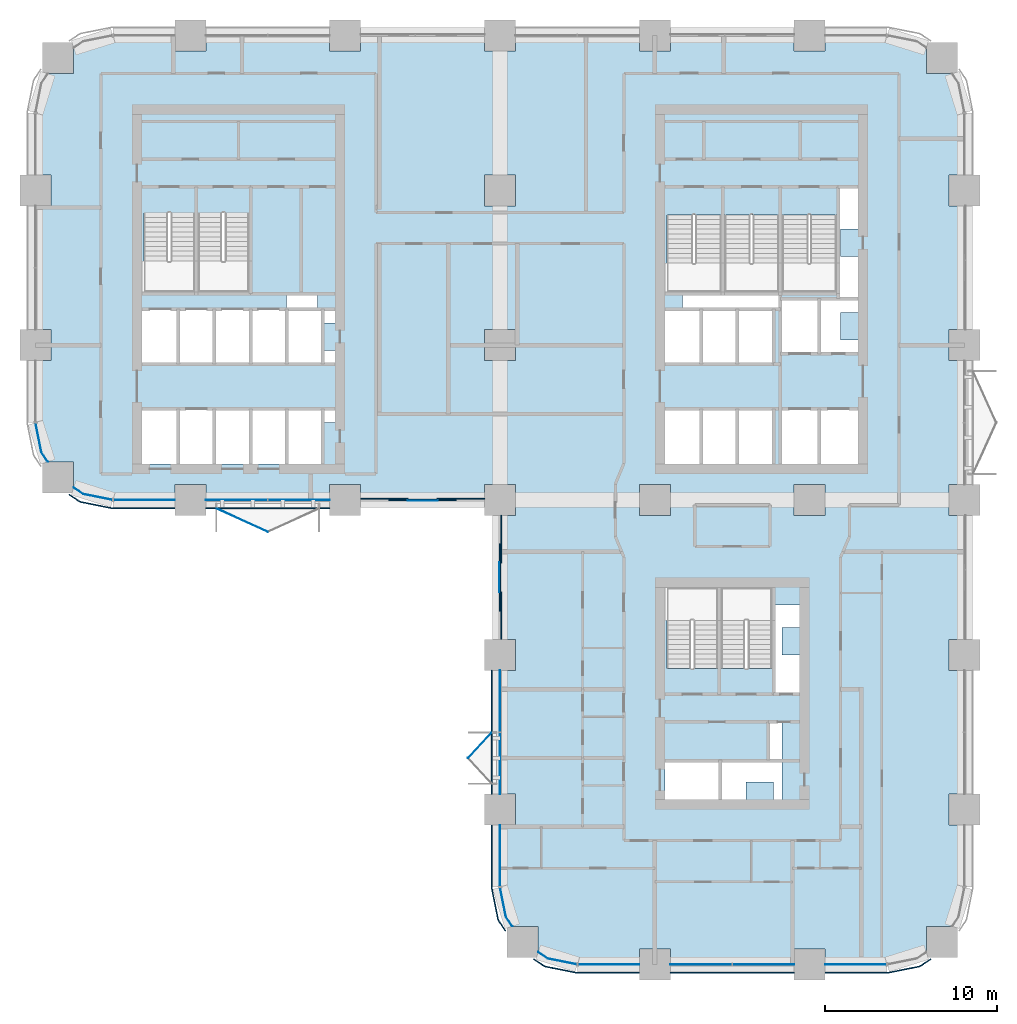
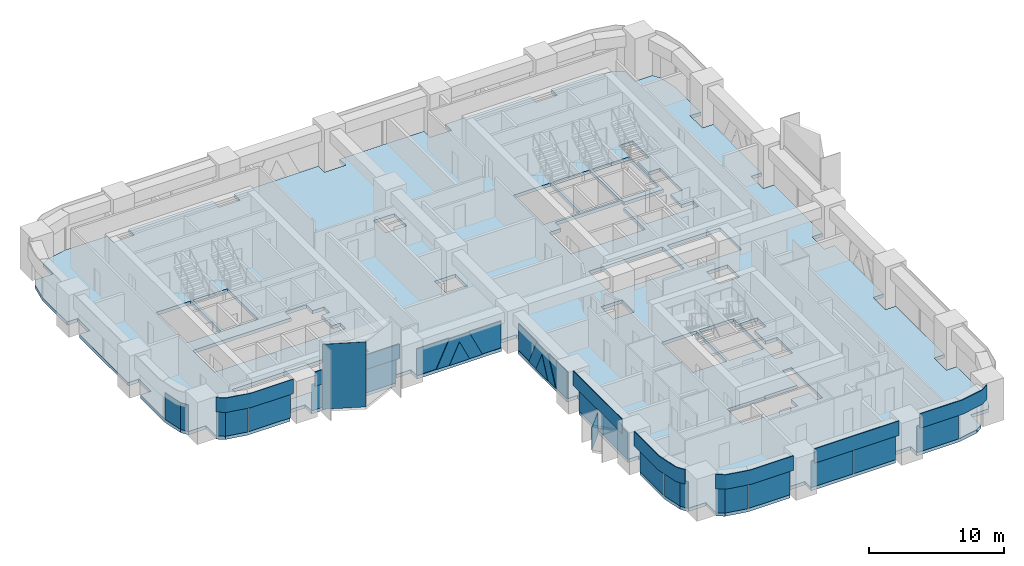
# One storey, part 10 of 24: 31 plates, 1 slab, 10 elements without a shape of their own.
"""IFC4 building model written with IfcOpenShell, lengths in metres."""

from ifc_helpers import new_model, si_unit, direction, frame, origin, origin_2d, place, context, subcontext, project, spatial, polyline, rectangle, outline, extrude, material, layer, layer_set, type_object, element, aggregate, save


model = new_model("IFC4")

# Units and contexts
model_context = context("Model", 3, precision=1e-05, world=origin(), true_north=direction((0.0, 1.0)))
body_context = subcontext(model_context, "Body", "Model", "MODEL_VIEW")
ifc_project = project(units=[si_unit("LENGTHUNIT", "METRE"), si_unit("AREAUNIT", "SQUARE_METRE"), si_unit("VOLUMEUNIT", "CUBIC_METRE"), si_unit("PLANEANGLEUNIT", "RADIAN"), si_unit("MASSUNIT", "GRAM", prefix="KILO")], contexts=[model_context])

# Site, building, storey
site_placement = place(None, origin())
site = spatial("IfcSite", under=ifc_project, at=site_placement, CompositionType="ELEMENT")
building_placement = place(site_placement, origin())
building = spatial("IfcBuilding", under=site, at=building_placement, Name="Tessera Arch", CompositionType="ELEMENT")
storey_placement = place(building_placement, frame((0.0, 0.0, 81.60009765625)))
storey = spatial("IfcBuildingStorey", under=building, at=storey_placement, Name="L18", CompositionType="ELEMENT", Elevation=81.60009765625)

# Curtain wall, plates
ifc_material_1 = material(Name="CW1 curtain wall")
curtain_wall_type_1 = type_object("IfcCurtainWallType", Name="CW1 curtain wall", PredefinedType="NOTDEFINED", material=ifc_material_1)
curtain_wall_1_placement = place(storey_placement, origin())
curtain_wall_1 = element("IfcCurtainWall", 1, at=curtain_wall_1_placement, inside=storey, type_object=curtain_wall_type_1, Name="CW1 curtain wall S27.0/1 L18", PredefinedType="NOTDEFINED")
ifc_material_2 = material(Name="Clear low-e glass", Category="glass")
ifc_material_3 = material(Name="Clear low-e glass", Category="glass")
ifc_layer_1 = layer(ifc_material_3, 0.028076171875)
ifc_layer_set_1 = layer_set([ifc_layer_1], Name="CW1 glass panel")
plate_type_1 = type_object("IfcPlateType", Name="CW1 glass panel", PredefinedType="CURTAIN_PANEL", material=ifc_layer_set_1)
plate_1_placement = place(storey_placement, frame((11.68505859375, 27.0, 0.0), z_axis=(0.0, 0.0, 1.0), x_axis=(1.0, 0.0, 0.0)))
plate_1 = element("IfcPlate", 2, at=plate_1_placement, type_object=plate_type_1, material=ifc_material_2, Name="CW1 glass panel S27.0/1 1.1.1", PredefinedType="CURTAIN_PANEL", context=body_context, shape_type="SweptSolid", body=[
    extrude(rectangle(XDim=3.570068359375, YDim=0.028076171875, at=origin_2d()), origin(), (0.0, 0.0, 1.0), 2.39990234375),
])
plate_2_placement = place(storey_placement, frame((15.31494140625, 27.0, 0.0), z_axis=(0.0, 0.0, 1.0), x_axis=(1.0, 0.0, 0.0)))
plate_2 = element("IfcPlate", 3, at=plate_2_placement, type_object=plate_type_1, material=ifc_material_2, Name="CW1 glass panel S27.0/1 1.2.1", PredefinedType="CURTAIN_PANEL", context=body_context, shape_type="SweptSolid", body=[
    extrude(rectangle(XDim=3.570068359375, YDim=0.028076171875, at=origin_2d()), origin(), (0.0, 0.0, 1.0), 2.39990234375),
])

curtain_wall_2_placement = place(storey_placement, origin())
curtain_wall_2 = element("IfcCurtainWall", 4, at=curtain_wall_2_placement, inside=storey, type_object=curtain_wall_type_1, Name="CW1 curtain wall W27.0/1 L18", PredefinedType="NOTDEFINED")
plate_3_placement = place(storey_placement, frame((27.0, 15.31494140625, 0.0), z_axis=(0.0, 0.0, 1.0), x_axis=(0.0, -1.0, 0.0)))
plate_3 = element("IfcPlate", 5, at=plate_3_placement, type_object=plate_type_1, material=ifc_material_2, Name="CW1 glass panel W27.0/1 1.1.1", PredefinedType="CURTAIN_PANEL", context=body_context, shape_type="SweptSolid", body=[
    extrude(rectangle(XDim=3.570068359375, YDim=0.028076171875, at=origin_2d()), origin(), (0.0, 0.0, 1.0), 2.39990234375),
])
plate_4_placement = place(storey_placement, frame((27.0, 11.68505859375, 0.0), z_axis=(0.0, 0.0, 1.0), x_axis=(0.0, -1.0, 0.0)))
plate_4 = element("IfcPlate", 6, at=plate_4_placement, type_object=plate_type_1, material=ifc_material_2, Name="CW1 glass panel W27.0/1 1.2.1", PredefinedType="CURTAIN_PANEL", context=body_context, shape_type="SweptSolid", body=[
    extrude(rectangle(XDim=3.570068359375, YDim=0.028076171875, at=origin_2d()), origin(), (0.0, 0.0, 1.0), 2.39990234375),
])

curtain_wall_3_placement = place(storey_placement, origin())
curtain_wall_3 = element("IfcCurtainWall", 7, at=curtain_wall_3_placement, inside=storey, type_object=curtain_wall_type_1, Name="CW1 curtain wall S0.27/1 L18", PredefinedType="NOTDEFINED")
plate_5_placement = place(storey_placement, frame((38.68505859375, 0.0, 0.0), z_axis=(0.0, 0.0, 1.0), x_axis=(1.0, 0.0, 0.0)))
plate_5 = element("IfcPlate", 8, at=plate_5_placement, type_object=plate_type_1, material=ifc_material_2, Name="CW1 glass panel S0.27/1 1.1.1", PredefinedType="CURTAIN_PANEL", context=body_context, shape_type="SweptSolid", body=[
    extrude(rectangle(XDim=3.570068359375, YDim=0.028076171875, at=origin_2d()), origin(), (0.0, 0.0, 1.0), 2.39990234375),
])
plate_6_placement = place(storey_placement, frame((42.31494140625, 0.0, 0.0), z_axis=(0.0, 0.0, 1.0), x_axis=(1.0, 0.0, 0.0)))
plate_6 = element("IfcPlate", 9, at=plate_6_placement, type_object=plate_type_1, material=ifc_material_2, Name="CW1 glass panel S0.27/1 1.2.1", PredefinedType="CURTAIN_PANEL", context=body_context, shape_type="SweptSolid", body=[
    extrude(rectangle(XDim=3.570068359375, YDim=0.028076171875, at=origin_2d()), origin(), (0.0, 0.0, 1.0), 2.39990234375),
])

# Plate
ifc_material_4 = material(Name="Pale anodised aluminium panel", Category="aluminium")
ifc_layer_2 = layer(ifc_material_4, 0.06005859375)
ifc_layer_set_2 = layer_set([ifc_layer_2], Name="CW1 spandrel panel")
plate_type_2 = type_object("IfcPlateType", Name="CW1 spandrel panel", PredefinedType="CURTAIN_PANEL", material=ifc_layer_set_2)
plate_7_placement = place(storey_placement, frame((13.5, 26.52001953125, 2.5), z_axis=(0.0, 0.0, 1.0), x_axis=(1.0, 0.0, 0.0)))
plate_7 = element("IfcPlate", 10, at=plate_7_placement, type_object=plate_type_2, Name="CW1 spandrel panel S27.0/1", PredefinedType="CURTAIN_PANEL", context=body_context, shape_type="SweptSolid", body=[
    extrude(rectangle(XDim=7.199951171875, YDim=0.06005859375, at=origin_2d()), origin(), (0.0, 0.0, 1.0), 1.300048828125),
])

aggregate(curtain_wall_1, [plate_1, plate_2, plate_7])

plate_8_placement = place(storey_placement, frame((26.52001953125, 13.5, 2.5), z_axis=(0.0, 0.0, 1.0), x_axis=(0.0, -1.0, 0.0)))
plate_8 = element("IfcPlate", 11, at=plate_8_placement, type_object=plate_type_2, Name="CW1 spandrel panel W27.0/1", PredefinedType="CURTAIN_PANEL", context=body_context, shape_type="SweptSolid", body=[
    extrude(rectangle(XDim=7.199951171875, YDim=0.06005859375, at=origin_2d()), origin(), (0.0, 0.0, 1.0), 1.300048828125),
])

aggregate(curtain_wall_2, [plate_3, plate_4, plate_8])

plate_9_placement = place(storey_placement, frame((40.5, -0.47998046875, 2.5), z_axis=(0.0, 0.0, 1.0), x_axis=(1.0, 0.0, 0.0)))
plate_9 = element("IfcPlate", 12, at=plate_9_placement, type_object=plate_type_2, Name="CW1 spandrel panel S0.27/1", PredefinedType="CURTAIN_PANEL", context=body_context, shape_type="SweptSolid", body=[
    extrude(rectangle(XDim=7.199951171875, YDim=0.06005859375, at=origin_2d()), origin(), (0.0, 0.0, 1.0), 1.300048828125),
])

aggregate(curtain_wall_3, [plate_5, plate_6, plate_9])

# Curtain wall, plate
ifc_material_5 = material(Name="CW2 curtain wall")
curtain_wall_type_2 = type_object("IfcCurtainWallType", Name="CW2 curtain wall", PredefinedType="NOTDEFINED", material=ifc_material_5)
curtain_wall_4_placement = place(storey_placement, origin())
curtain_wall_4 = element("IfcCurtainWall", 13, at=curtain_wall_4_placement, inside=storey, type_object=curtain_wall_type_2, Name="CW2 curtain wall W0.27/2 L18", PredefinedType="NOTDEFINED")
ifc_material_6 = material(Name="Clear low-e glass", Category="glass")
ifc_layer_3 = layer(ifc_material_6, 0.028076171875)
ifc_layer_set_3 = layer_set([ifc_layer_3], Name="CW2 glass panel")
plate_type_3 = type_object("IfcPlateType", Name="CW2 glass panel", PredefinedType="CURTAIN_PANEL", material=ifc_layer_set_3)
plate_10_placement = place(storey_placement, origin())
plate_10 = element("IfcPlate", 14, at=plate_10_placement, type_object=plate_type_3, material=ifc_material_2, Name="CW2 curved glass panel W0.27/2 2.1", PredefinedType="CURTAIN_PANEL", context=body_context, shape_type="SweptSolid", body=[
    extrude(outline(polyline([(0.355712890625, 29.783447265625), (0.021484375, 31.46337890625), (-0.005859375, 31.4580078125), (0.329345703125, 29.7724609375), (0.705078125, 29.210205078125), (0.728271484375, 29.225830078125), (0.355712890625, 29.783447265625)])), origin(), (0.0, 0.0, 1.0), 2.39990234375),
])
aggregate(curtain_wall_4, [plate_10])

# Curtain wall, plates
curtain_wall_5_placement = place(storey_placement, origin())
curtain_wall_5 = element("IfcCurtainWall", 15, at=curtain_wall_5_placement, inside=storey, type_object=curtain_wall_type_2, Name="CW2 curtain wall S27.0/0 L18", PredefinedType="NOTDEFINED")
plate_11_placement = place(storey_placement, frame((6.320068359375, 27.0, 0.0), z_axis=(0.0, 0.0, 1.0), x_axis=(1.0, 0.0, 0.0)))
plate_11 = element("IfcPlate", 16, at=plate_11_placement, type_object=plate_type_3, material=ifc_material_2, Name="CW2 glass panel S27.0/0 1.1", PredefinedType="CURTAIN_PANEL", context=body_context, shape_type="SweptSolid", body=[
    extrude(rectangle(XDim=3.56005859375, YDim=0.028076171875, at=origin_2d()), origin(), (0.0, 0.0, 1.0), 2.39990234375),
])
plate_12_placement = place(storey_placement, origin())
plate_12 = element("IfcPlate", 17, at=plate_12_placement, type_object=plate_type_3, material=ifc_material_2, Name="CW2 curved glass panel S27.0/0 2.1", PredefinedType="CURTAIN_PANEL", context=body_context, shape_type="SweptSolid", body=[
    extrude(outline(polyline([(2.783447265625, 27.355712890625), (2.225830078125, 27.728271484375), (2.210205078125, 27.705078125), (2.7724609375, 27.329345703125), (4.4580078125, 26.994140625), (4.46337890625, 27.021484375), (2.783447265625, 27.355712890625)])), origin(), (0.0, 0.0, 1.0), 2.39990234375),
])

curtain_wall_6_placement = place(storey_placement, origin())
curtain_wall_6 = element("IfcCurtainWall", 18, at=curtain_wall_6_placement, inside=storey, type_object=curtain_wall_type_2, Name="CW2 curtain wall W27.0/2 L18", PredefinedType="NOTDEFINED")
plate_13_placement = place(storey_placement, frame((27.0, 6.320068359375, 0.0), z_axis=(0.0, 0.0, 1.0), x_axis=(0.0, -1.0, 0.0)))
plate_13 = element("IfcPlate", 19, at=plate_13_placement, type_object=plate_type_3, material=ifc_material_2, Name="CW2 glass panel W27.0/2 1.1", PredefinedType="CURTAIN_PANEL", context=body_context, shape_type="SweptSolid", body=[
    extrude(rectangle(XDim=3.56005859375, YDim=0.028076171875, at=origin_2d()), origin(), (0.0, 0.0, 1.0), 2.39990234375),
])
plate_14_placement = place(storey_placement, origin())
plate_14 = element("IfcPlate", 20, at=plate_14_placement, type_object=plate_type_3, material=ifc_material_2, Name="CW2 curved glass panel W27.0/2 2.1", PredefinedType="CURTAIN_PANEL", context=body_context, shape_type="SweptSolid", body=[
    extrude(outline(polyline([(27.355712890625, 2.783447265625), (27.021484375, 4.46337890625), (26.994140625, 4.4580078125), (27.329345703125, 2.7724609375), (27.705078125, 2.210205078125), (27.728271484375, 2.225830078125), (27.355712890625, 2.783447265625)])), origin(), (0.0, 0.0, 1.0), 2.39990234375),
])

curtain_wall_7_placement = place(storey_placement, origin())
curtain_wall_7 = element("IfcCurtainWall", 21, at=curtain_wall_7_placement, inside=storey, type_object=curtain_wall_type_2, Name="CW2 curtain wall S0.27/0 L18", PredefinedType="NOTDEFINED")
plate_15_placement = place(storey_placement, frame((33.320068359375, 0.0, 0.0), z_axis=(0.0, 0.0, 1.0), x_axis=(1.0, 0.0, 0.0)))
plate_15 = element("IfcPlate", 22, at=plate_15_placement, type_object=plate_type_3, material=ifc_material_2, Name="CW2 glass panel S0.27/0 1.1", PredefinedType="CURTAIN_PANEL", context=body_context, shape_type="SweptSolid", body=[
    extrude(rectangle(XDim=3.56005859375, YDim=0.028076171875, at=origin_2d()), origin(), (0.0, 0.0, 1.0), 2.39990234375),
])
plate_16_placement = place(storey_placement, origin())
plate_16 = element("IfcPlate", 23, at=plate_16_placement, type_object=plate_type_3, material=ifc_material_2, Name="CW2 curved glass panel S0.27/0 2.1", PredefinedType="CURTAIN_PANEL", context=body_context, shape_type="SweptSolid", body=[
    extrude(outline(polyline([(29.783447265625, 0.355712890625), (29.225830078125, 0.728271484375), (29.210205078125, 0.705078125), (29.7724609375, 0.329345703125), (31.4580078125, -0.005859375), (31.46337890625, 0.021484375), (29.783447265625, 0.355712890625)])), origin(), (0.0, 0.0, 1.0), 2.39990234375),
])

# Curtain wall, plate
curtain_wall_8_placement = place(storey_placement, origin())
curtain_wall_8 = element("IfcCurtainWall", 24, at=curtain_wall_8_placement, inside=storey, type_object=curtain_wall_type_2, Name="CW2 curtain wall S0.27/2 L18", PredefinedType="NOTDEFINED")
plate_17_placement = place(storey_placement, frame((47.679931640625, 0.0, 0.0), z_axis=(0.0, 0.0, 1.0), x_axis=(1.0, 0.0, 0.0)))
plate_17 = element("IfcPlate", 25, at=plate_17_placement, type_object=plate_type_3, material=ifc_material_2, Name="CW2 glass panel S0.27/2 1.1", PredefinedType="CURTAIN_PANEL", context=body_context, shape_type="SweptSolid", body=[
    extrude(rectangle(XDim=3.56005859375, YDim=0.028076171875, at=origin_2d()), origin(), (0.0, 0.0, 1.0), 2.39990234375),
])

# Plate
ifc_material_7 = material(Name="Pale anodised aluminium panel", Category="aluminium")
ifc_layer_4 = layer(ifc_material_7, 0.06005859375)
ifc_layer_set_4 = layer_set([ifc_layer_4], Name="CW2 spandrel panel")
plate_type_4 = type_object("IfcPlateType", Name="CW2 spandrel panel", PredefinedType="CURTAIN_PANEL", material=ifc_layer_set_4)
plate_18_placement = place(storey_placement, frame((0.0, 0.0, 2.5)))
plate_18 = element("IfcPlate", 26, at=plate_18_placement, type_object=plate_type_4, Name="CW2 spandrel panel S27.0/0", PredefinedType="CURTAIN_PANEL", context=body_context, shape_type="SweptSolid", body=[
    extrude(outline(polyline([(2.52734375, 26.96875), (1.968017578125, 27.342529296875), (1.9345703125, 27.292724609375), (2.4951171875, 26.91796875), (2.537353515625, 26.892822265625), (2.582763671875, 26.871337890625), (2.6298828125, 26.8544921875), (2.677734375, 26.842529296875), (4.401123046875, 26.499755859375), (4.449951171875, 26.492431640625), (4.499267578125, 26.489990234375), (8.10009765625, 26.489990234375), (8.10009765625, 26.550048828125), (4.500732421875, 26.550048828125), (4.455810546875, 26.55224609375), (4.411376953125, 26.558837890625), (2.69091796875, 26.90087890625), (2.647216796875, 26.911865234375), (2.605712890625, 26.9267578125), (2.565673828125, 26.94580078125), (2.52734375, 26.96875)])), origin(), (0.0, 0.0, 1.0), 1.2998046875),
])

aggregate(curtain_wall_5, [plate_11, plate_12, plate_18])

plate_19_placement = place(storey_placement, frame((0.0, 0.0, 2.5)))
plate_19 = element("IfcPlate", 27, at=plate_19_placement, type_object=plate_type_4, Name="CW2 spandrel panel W27.0/2", PredefinedType="CURTAIN_PANEL", context=body_context, shape_type="SweptSolid", body=[
    extrude(outline(polyline([(26.550048828125, 4.500732421875), (26.550048828125, 8.10009765625), (26.489990234375, 8.10009765625), (26.489990234375, 4.499267578125), (26.492431640625, 4.449951171875), (26.499755859375, 4.401123046875), (26.842529296875, 2.677734375), (26.8544921875, 2.6298828125), (26.871337890625, 2.582763671875), (26.892822265625, 2.537353515625), (26.91796875, 2.4951171875), (27.292724609375, 1.9345703125), (27.342529296875, 1.968017578125), (26.96875, 2.52734375), (26.94580078125, 2.565673828125), (26.9267578125, 2.605712890625), (26.911865234375, 2.647216796875), (26.90087890625, 2.69091796875), (26.558837890625, 4.411376953125), (26.55224609375, 4.455810546875), (26.550048828125, 4.500732421875)])), origin(), (0.0, 0.0, 1.0), 1.2998046875),
])

aggregate(curtain_wall_6, [plate_13, plate_14, plate_19])

plate_20_placement = place(storey_placement, frame((0.0, 0.0, 2.5)))
plate_20 = element("IfcPlate", 28, at=plate_20_placement, type_object=plate_type_4, Name="CW2 spandrel panel S0.27/0", PredefinedType="CURTAIN_PANEL", context=body_context, shape_type="SweptSolid", body=[
    extrude(outline(polyline([(29.52734375, -0.03125), (28.968017578125, 0.342529296875), (28.9345703125, 0.292724609375), (29.4951171875, -0.08203125), (29.537353515625, -0.107177734375), (29.582763671875, -0.128662109375), (29.6298828125, -0.1455078125), (29.677734375, -0.157470703125), (31.401123046875, -0.500244140625), (31.449951171875, -0.507568359375), (31.499267578125, -0.510009765625), (35.10009765625, -0.510009765625), (35.10009765625, -0.449951171875), (31.500732421875, -0.449951171875), (31.455810546875, -0.44775390625), (31.411376953125, -0.441162109375), (29.69091796875, -0.09912109375), (29.647216796875, -0.088134765625), (29.605712890625, -0.0732421875), (29.565673828125, -0.05419921875), (29.52734375, -0.03125)])), origin(), (0.0, 0.0, 1.0), 1.2998046875),
])

aggregate(curtain_wall_7, [plate_15, plate_16, plate_20])

plate_21_placement = place(storey_placement, frame((0.0, 0.0, 2.5)))
plate_21 = element("IfcPlate", 29, at=plate_21_placement, type_object=plate_type_4, Name="CW2 spandrel panel S0.27/2", PredefinedType="CURTAIN_PANEL", context=body_context, shape_type="SweptSolid", body=[
    extrude(outline(polyline([(49.499267578125, -0.449951171875), (45.89990234375, -0.449951171875), (45.89990234375, -0.510009765625), (49.500732421875, -0.510009765625), (49.550048828125, -0.507568359375), (49.598876953125, -0.500244140625), (51.322265625, -0.157470703125), (51.3701171875, -0.1455078125), (51.417236328125, -0.128662109375), (51.462646484375, -0.107177734375), (51.5048828125, -0.08203125), (52.0654296875, 0.292724609375), (52.031982421875, 0.342529296875), (51.47265625, -0.03125), (51.434326171875, -0.05419921875), (51.394287109375, -0.0732421875), (51.352783203125, -0.088134765625), (51.30908203125, -0.09912109375), (49.588623046875, -0.441162109375), (49.544189453125, -0.44775390625), (49.499267578125, -0.449951171875)])), origin(), (0.0, 0.0, 1.0), 1.2998046875),
])

aggregate(curtain_wall_8, [plate_17, plate_21])

# Curtain wall, plates
ifc_material_8 = material(Name="CW3 curtain wall")
curtain_wall_type_3 = type_object("IfcCurtainWallType", Name="CW3 curtain wall", PredefinedType="NOTDEFINED", material=ifc_material_8)
curtain_wall_9_placement = place(storey_placement, origin())
curtain_wall_9 = element("IfcCurtainWall", 30, at=curtain_wall_9_placement, inside=storey, type_object=curtain_wall_type_3, Name="CW3 curtain wall S27.0/2 L18", PredefinedType="NOTDEFINED")
ifc_material_9 = material(Name="Pale anodised aluminium panel", Category="aluminium")
ifc_layer_5 = layer(ifc_material_9, 0.06005859375)
ifc_layer_set_5 = layer_set([ifc_layer_5], Name="CW3 diagonal panel")
plate_type_5 = type_object("IfcPlateType", Name="CW3 diagonal panel", PredefinedType="CURTAIN_PANEL", material=ifc_layer_set_5)
plate_22_placement = place(storey_placement, frame((23.334228515625, 26.969970703125, 2.39990234375), z_axis=(0.0, -1.0, 0.0), x_axis=(-1.0, 0.0, 0.0)))
plate_22 = element("IfcPlate", 31, at=plate_22_placement, type_object=plate_type_5, Name="CW3 diagonal panel S27.0/2 1", PredefinedType="CURTAIN_PANEL", context=body_context, shape_type="SweptSolid", body=[
    extrude(outline(polyline([(0.0, 0.0), (1.66845703125, 0.0), (2.80517578125, 2.39990234375), (1.705322265625, 2.39990234375), (0.834228515625, 0.56103515625), (-0.036865234375, 2.39990234375), (-1.13671875, 2.39990234375), (0.0, 0.0)])), origin(), (0.0, 0.0, -1.0), 0.06005859375),
])
plate_23_placement = place(storey_placement, frame((18.89990234375, 27.030029296875, 0.0), z_axis=(0.0, -1.0, 0.0), x_axis=(1.0, 0.0, 0.0)))
plate_23 = element("IfcPlate", 32, at=plate_23_placement, type_object=plate_type_5, Name="CW3 diagonal panel S27.0/2 2", PredefinedType="CURTAIN_PANEL", context=body_context, shape_type="SweptSolid", body=[
    extrude(outline(polyline([(0.0, 0.0), (1.629150390625, 0.0), (2.765869140625, 2.39990234375), (0.0, 2.39990234375), (0.0, 0.0)])), origin(), (0.0, 0.0, -1.0), 0.06005859375),
])
plate_24_placement = place(storey_placement, frame((26.10009765625, 27.030029296875, 2.39990234375), z_axis=(0.0, -1.0, 0.0), x_axis=(-1.0, 0.0, 0.0)))
plate_24 = element("IfcPlate", 33, at=plate_24_placement, type_object=plate_type_5, Name="CW3 diagonal panel S27.0/2 3", PredefinedType="CURTAIN_PANEL", context=body_context, shape_type="SweptSolid", body=[
    extrude(outline(polyline([(0.0, 0.0), (2.765869140625, 0.0), (1.629150390625, 2.39990234375), (0.0, 2.39990234375), (0.0, 0.0)])), origin(), (0.0, 0.0, -1.0), 0.06005859375),
])

curtain_wall_10_placement = place(storey_placement, origin())
curtain_wall_10 = element("IfcCurtainWall", 34, at=curtain_wall_10_placement, inside=storey, type_object=curtain_wall_type_3, Name="CW3 curtain wall W27.0/0 L18", PredefinedType="NOTDEFINED")
plate_25_placement = place(storey_placement, frame((26.969970703125, 21.665771484375, 2.39990234375), z_axis=(-1.0, 0.0, 0.0), x_axis=(0.0, 1.0, 0.0)))
plate_25 = element("IfcPlate", 35, at=plate_25_placement, type_object=plate_type_5, Name="CW3 diagonal panel W27.0/0 1", PredefinedType="CURTAIN_PANEL", context=body_context, shape_type="SweptSolid", body=[
    extrude(outline(polyline([(0.0, 0.0), (1.66845703125, 0.0), (2.80517578125, 2.39990234375), (1.705322265625, 2.39990234375), (0.834228515625, 0.56103515625), (-0.036865234375, 2.39990234375), (-1.13671875, 2.39990234375), (0.0, 0.0)])), origin(), (0.0, 0.0, -1.0), 0.06005859375),
])
plate_26_placement = place(storey_placement, frame((27.030029296875, 26.10009765625, 0.0), z_axis=(-1.0, 0.0, 0.0), x_axis=(0.0, -1.0, 0.0)))
plate_26 = element("IfcPlate", 36, at=plate_26_placement, type_object=plate_type_5, Name="CW3 diagonal panel W27.0/0 2", PredefinedType="CURTAIN_PANEL", context=body_context, shape_type="SweptSolid", body=[
    extrude(outline(polyline([(0.0, 0.0), (1.629150390625, 0.0), (2.765869140625, 2.39990234375), (0.0, 2.39990234375), (0.0, 0.0)])), origin(), (0.0, 0.0, -1.0), 0.06005859375),
])
plate_27_placement = place(storey_placement, frame((27.030029296875, 18.89990234375, 2.39990234375), z_axis=(-1.0, 0.0, 0.0), x_axis=(0.0, 1.0, 0.0)))
plate_27 = element("IfcPlate", 37, at=plate_27_placement, type_object=plate_type_5, Name="CW3 diagonal panel W27.0/0 3", PredefinedType="CURTAIN_PANEL", context=body_context, shape_type="SweptSolid", body=[
    extrude(outline(polyline([(0.0, 0.0), (2.765869140625, 0.0), (1.629150390625, 2.39990234375), (0.0, 2.39990234375), (0.0, 0.0)])), origin(), (0.0, 0.0, -1.0), 0.06005859375),
])

# Plate
ifc_material_10 = material(Name="Clear low-e glass", Category="glass")
ifc_layer_6 = layer(ifc_material_10, 0.028076171875)
ifc_layer_set_6 = layer_set([ifc_layer_6], Name="CW3 glass panel")
plate_type_6 = type_object("IfcPlateType", Name="CW3 glass panel", PredefinedType="CURTAIN_PANEL", material=ifc_layer_set_6)
plate_28_placement = place(storey_placement, frame((21.62890625, 26.94189453125, 0.0), z_axis=(0.0, -1.0, 0.0), x_axis=(1.0, 0.0, 0.0)))
plate_28 = element("IfcPlate", 38, at=plate_28_placement, type_object=plate_type_6, material=ifc_material_2, Name="CW3 triangulated glass panel S27.0/2 1", PredefinedType="CURTAIN_PANEL", context=body_context, shape_type="SweptSolid", body=[
    extrude(outline(polyline([(0.0, 0.0), (1.7421875, 0.0), (0.87109375, 1.8388671875), (0.0, 0.0)])), origin(), (0.0, 0.0, -1.0), 0.028076171875),
])

aggregate(curtain_wall_9, [plate_28, plate_22, plate_23, plate_24])

plate_29_placement = place(storey_placement, frame((26.94189453125, 23.37109375, 0.0), z_axis=(-1.0, 0.0, 0.0), x_axis=(0.0, -1.0, 0.0)))
plate_29 = element("IfcPlate", 39, at=plate_29_placement, type_object=plate_type_6, material=ifc_material_2, Name="CW3 triangulated glass panel W27.0/0 1", PredefinedType="CURTAIN_PANEL", context=body_context, shape_type="SweptSolid", body=[
    extrude(outline(polyline([(0.0, 0.0), (1.7421875, 0.0), (0.87109375, 1.8388671875), (0.0, 0.0)])), origin(), (0.0, 0.0, -1.0), 0.028076171875),
])

aggregate(curtain_wall_10, [plate_29, plate_25, plate_26, plate_27])

# Slab
ifc_material_11 = material(Name="Concrete C40/50", Category="concrete")
ifc_layer_7 = layer(ifc_material_11, 0.300048828125)
ifc_layer_set_7 = layer_set([ifc_layer_7], Name="Floor slab 300 Concrete C40/50")
slab_type = type_object("IfcSlabType", Name="Floor slab 300 Concrete C40/50", PredefinedType="FLOOR", material=ifc_layer_set_7)
slab_placement = place(storey_placement, frame((0.0, 0.0, -0.300048828125)))
element("IfcSlab", 40, at=slab_placement, inside=storey, type_object=slab_type, Name="Floor slab L18 1", PredefinedType="FLOOR", context=body_context, shape_type="SweptSolid", body=[
    extrude(outline(polyline([(49.5, 54.0), (51.22216796875, 53.657470703125), (51.781982421875, 53.283447265625), (51.781982421875, 51.781982421875), (53.283447265625, 51.781982421875), (53.657470703125, 51.22216796875), (54.0, 49.5), (54.0, 45.89990234375), (53.10009765625, 45.89990234375), (53.10009765625, 44.10009765625), (54.0, 44.10009765625), (54.0, 36.89990234375), (53.10009765625, 36.89990234375), (53.10009765625, 35.10009765625), (54.0, 35.10009765625), (54.0, 27.89990234375), (53.10009765625, 27.89990234375), (53.10009765625, 26.10009765625), (54.0, 26.10009765625), (54.0, 18.89990234375), (53.10009765625, 18.89990234375), (53.10009765625, 17.10009765625), (54.0, 17.10009765625), (54.0, 9.89990234375), (53.10009765625, 9.89990234375), (53.10009765625, 8.10009765625), (54.0, 8.10009765625), (54.0, 4.5), (53.657470703125, 2.77783203125), (53.283447265625, 2.218017578125), (51.781982421875, 2.218017578125), (51.781982421875, 0.716552734375), (51.22216796875, 0.342529296875), (49.5, 0.0), (45.89990234375, 0.0), (45.89990234375, 0.89990234375), (44.10009765625, 0.89990234375), (44.10009765625, 0.0), (36.89990234375, 0.0), (36.89990234375, 0.89990234375), (35.10009765625, 0.89990234375), (35.10009765625, 0.0), (31.5, 0.0), (29.77783203125, 0.342529296875), (29.218017578125, 0.716552734375), (29.218017578125, 2.218017578125), (27.716552734375, 2.218017578125), (27.342529296875, 2.77783203125), (27.0, 4.5), (27.0, 8.10009765625), (27.89990234375, 8.10009765625), (27.89990234375, 9.89990234375), (27.0, 9.89990234375), (27.0, 17.10009765625), (27.89990234375, 17.10009765625), (27.89990234375, 18.89990234375), (27.0, 18.89990234375), (27.0, 26.10009765625), (27.89990234375, 26.10009765625), (27.89990234375, 27.89990234375), (26.10009765625, 27.89990234375), (26.10009765625, 27.0), (18.89990234375, 27.0), (18.89990234375, 27.89990234375), (17.10009765625, 27.89990234375), (17.10009765625, 27.0), (9.89990234375, 27.0), (9.89990234375, 27.89990234375), (8.10009765625, 27.89990234375), (8.10009765625, 27.0), (4.5, 27.0), (2.77783203125, 27.342529296875), (2.218017578125, 27.716552734375), (2.218017578125, 29.218017578125), (0.716552734375, 29.218017578125), (0.342529296875, 29.77783203125), (0.0, 31.5), (0.0, 35.10009765625), (0.89990234375, 35.10009765625), (0.89990234375, 36.89990234375), (0.0, 36.89990234375), (0.0, 44.10009765625), (0.89990234375, 44.10009765625), (0.89990234375, 45.89990234375), (0.0, 45.89990234375), (0.0, 49.5), (0.342529296875, 51.22216796875), (0.716552734375, 51.781982421875), (2.218017578125, 51.781982421875), (2.218017578125, 53.283447265625), (2.77783203125, 53.657470703125), (4.5, 54.0), (8.10009765625, 54.0), (8.10009765625, 53.10009765625), (9.89990234375, 53.10009765625), (9.89990234375, 54.0), (17.10009765625, 54.0), (17.10009765625, 53.10009765625), (18.89990234375, 53.10009765625), (18.89990234375, 54.0), (26.10009765625, 54.0), (26.10009765625, 53.10009765625), (27.89990234375, 53.10009765625), (27.89990234375, 54.0), (35.10009765625, 54.0), (35.10009765625, 53.10009765625), (36.89990234375, 53.10009765625), (36.89990234375, 54.0), (44.10009765625, 54.0), (44.10009765625, 53.10009765625), (45.89990234375, 53.10009765625), (45.89990234375, 54.0), (49.5, 54.0)]), holes=[polyline([(6.199951171875, 32.300048828125), (6.199951171875, 29.10009765625), (8.300048828125, 29.10009765625), (10.39990234375, 29.10009765625), (12.5, 29.10009765625), (14.60009765625, 29.10009765625), (16.699951171875, 29.10009765625), (16.699951171875, 31.5), (17.39990234375, 31.5), (17.39990234375, 32.300048828125), (16.699951171875, 32.300048828125), (14.60009765625, 32.300048828125), (12.5, 32.300048828125), (10.39990234375, 32.300048828125), (8.300048828125, 32.300048828125), (6.199951171875, 32.300048828125)]), polyline([(14.60009765625, 34.89990234375), (16.699951171875, 34.89990234375), (17.39990234375, 34.89990234375), (17.39990234375, 35.699951171875), (16.699951171875, 35.699951171875), (16.699951171875, 37.300048828125), (17.39990234375, 37.300048828125), (17.39990234375, 38.10009765625), (16.699951171875, 38.10009765625), (16.39990234375, 38.10009765625), (16.39990234375, 39.0), (14.60009765625, 39.0), (14.60009765625, 38.10009765625), (12.5, 38.10009765625), (10.39990234375, 38.10009765625), (8.300048828125, 38.10009765625), (6.199951171875, 38.10009765625), (6.199951171875, 34.89990234375), (8.300048828125, 34.89990234375), (10.39990234375, 34.89990234375), (12.5, 34.89990234375), (14.60009765625, 34.89990234375)]), polyline([(11.0, 43.699951171875), (10.85009765625, 43.699951171875), (10.85009765625, 43.68994140625), (9.449951171875, 43.68994140625), (9.449951171875, 39.199951171875), (12.39990234375, 39.199951171875), (12.39990234375, 43.68994140625), (11.0, 43.68994140625), (11.0, 43.699951171875)]), polyline([(7.85009765625, 43.699951171875), (7.699951171875, 43.699951171875), (7.699951171875, 43.68994140625), (6.300048828125, 43.68994140625), (6.300048828125, 39.199951171875), (9.25, 39.199951171875), (9.25, 43.68994140625), (7.85009765625, 43.68994140625), (7.85009765625, 43.699951171875)]), polyline([(43.39990234375, 9.60009765625), (43.39990234375, 11.89990234375), (43.39990234375, 14.10009765625), (42.60009765625, 14.10009765625), (42.60009765625, 11.89990234375), (39.800048828125, 11.89990234375), (39.800048828125, 11.85009765625), (36.60009765625, 11.85009765625), (36.60009765625, 9.60009765625), (39.800048828125, 9.60009765625), (41.300048828125, 9.60009765625), (41.300048828125, 10.60009765625), (42.89990234375, 10.60009765625), (42.89990234375, 9.60009765625), (43.39990234375, 9.60009765625)]), polyline([(41.25, 17.199951171875), (41.39990234375, 17.199951171875), (41.39990234375, 17.2099609375), (42.800048828125, 17.2099609375), (42.800048828125, 21.699951171875), (39.85009765625, 21.699951171875), (39.85009765625, 17.2099609375), (41.25, 17.2099609375), (41.25, 17.199951171875)]), polyline([(38.10009765625, 17.199951171875), (38.25, 17.199951171875), (38.25, 17.2099609375), (39.64990234375, 17.2099609375), (39.64990234375, 21.699951171875), (36.699951171875, 21.699951171875), (36.699951171875, 17.2099609375), (38.10009765625, 17.2099609375), (38.10009765625, 17.199951171875)]), polyline([(35.10009765625, 26.10009765625), (36.89990234375, 26.10009765625), (36.89990234375, 27.89990234375), (35.10009765625, 27.89990234375), (35.10009765625, 26.10009765625)]), polyline([(38.699951171875, 29.10009765625), (40.800048828125, 29.10009765625), (42.89990234375, 29.10009765625), (42.89990234375, 32.300048828125), (40.800048828125, 32.300048828125), (38.699951171875, 32.300048828125), (36.60009765625, 32.300048828125), (36.60009765625, 29.10009765625), (38.699951171875, 29.10009765625)]), polyline([(26.10009765625, 35.10009765625), (27.89990234375, 35.10009765625), (27.89990234375, 36.89990234375), (26.10009765625, 36.89990234375), (26.10009765625, 35.10009765625)]), polyline([(43.300048828125, 39.0), (37.60009765625, 39.0), (37.60009765625, 38.10009765625), (36.60009765625, 38.10009765625), (36.60009765625, 34.89990234375), (38.699951171875, 34.89990234375), (40.800048828125, 34.89990234375), (42.89990234375, 34.89990234375), (42.89990234375, 38.10009765625), (43.300048828125, 38.10009765625), (43.300048828125, 35.5), (45.550048828125, 35.5), (47.800048828125, 35.5), (47.800048828125, 36.300048828125), (46.800048828125, 36.300048828125), (46.800048828125, 37.89990234375), (47.800048828125, 37.89990234375), (47.800048828125, 38.699951171875), (47.800048828125, 41.14990234375), (46.800048828125, 41.14990234375), (46.800048828125, 42.75), (47.800048828125, 42.75), (47.800048828125, 45.199951171875), (46.64990234375, 45.199951171875), (46.64990234375, 38.699951171875), (45.550048828125, 38.699951171875), (43.300048828125, 38.699951171875), (43.300048828125, 39.0)]), polyline([(38.330078125, 43.580078125), (38.219970703125, 43.580078125), (38.219970703125, 43.570068359375), (36.699951171875, 43.570068359375), (36.699951171875, 39.199951171875), (39.85009765625, 39.199951171875), (39.85009765625, 43.570068359375), (38.330078125, 43.570068359375), (38.330078125, 43.580078125)]), polyline([(26.10009765625, 44.10009765625), (27.89990234375, 44.10009765625), (27.89990234375, 45.89990234375), (26.10009765625, 45.89990234375), (26.10009765625, 44.10009765625)]), polyline([(42.89990234375, 15.699951171875), (44.39990234375, 15.699951171875), (44.39990234375, 18.0), (43.39990234375, 18.0), (43.39990234375, 19.60009765625), (44.39990234375, 19.60009765625), (44.39990234375, 20.89990234375), (42.89990234375, 20.89990234375), (42.89990234375, 15.699951171875)]), polyline([(44.10009765625, 26.10009765625), (45.89990234375, 26.10009765625), (45.89990234375, 27.89990234375), (44.10009765625, 27.89990234375), (44.10009765625, 26.10009765625)]), polyline([(45.550048828125, 29.10009765625), (47.800048828125, 29.10009765625), (47.800048828125, 32.300048828125), (45.550048828125, 32.300048828125), (43.300048828125, 32.300048828125), (43.300048828125, 29.10009765625), (45.550048828125, 29.10009765625)]), polyline([(45.030029296875, 43.580078125), (44.919921875, 43.580078125), (44.919921875, 43.570068359375), (43.39990234375, 43.570068359375), (43.39990234375, 39.199951171875), (46.550048828125, 39.199951171875), (46.550048828125, 43.570068359375), (45.030029296875, 43.570068359375), (45.030029296875, 43.580078125)]), polyline([(41.679931640625, 43.580078125), (41.570068359375, 43.580078125), (41.570068359375, 43.570068359375), (40.050048828125, 43.570068359375), (40.050048828125, 39.199951171875), (43.199951171875, 39.199951171875), (43.199951171875, 43.570068359375), (41.679931640625, 43.570068359375), (41.679931640625, 43.580078125)])]), origin(), (0.0, 0.0, 1.0), 0.300048828125),
])

# Plates
ifc_material_12 = material(Name="Clear low-e glass", Category="glass")
ifc_layer_8 = layer(ifc_material_12, 0.028076171875)
ifc_layer_set_8 = layer_set([ifc_layer_8], Name="Window box glass facet")
plate_type_7 = type_object("IfcPlateType", Name="Window box glass facet", PredefinedType="SHEET", material=ifc_layer_set_8)
plate_30_placement = place(storey_placement, frame((12.02490234375, 25.820068359375, 0.2197265625), z_axis=(0.0, 0.0, 1.0), x_axis=(0.910472144558, -0.413570397858, 0.0)))
element("IfcPlate", 41, at=plate_30_placement, inside=storey, type_object=plate_type_7, Name="Window box S27.0/1.0 2x2 glass", PredefinedType="SHEET", context=body_context, shape_type="SweptSolid", body=[
    extrude(rectangle(XDim=3.239990234375, YDim=0.028076171875, at=origin_2d()), origin(), (0.0, 0.0, 1.0), 5.860107421875),
])
plate_31_placement = place(storey_placement, frame((25.820068359375, 12.72509765625, 0.219970703125), z_axis=(0.0, 0.0, 1.0), x_axis=(-0.678700720617, -0.734414958885, 0.0)))
element("IfcPlate", 42, at=plate_31_placement, inside=storey, type_object=plate_type_7, Name="Window box W27.0/1.1 1x1 glass", PredefinedType="SHEET", context=body_context, shape_type="SweptSolid", body=[
    extrude(rectangle(XDim=1.974365234375, YDim=0.028076171875, at=origin_2d()), origin(), (0.0, 0.0, 1.0), 2.06005859375),
])

save(model, "model.ifc")
